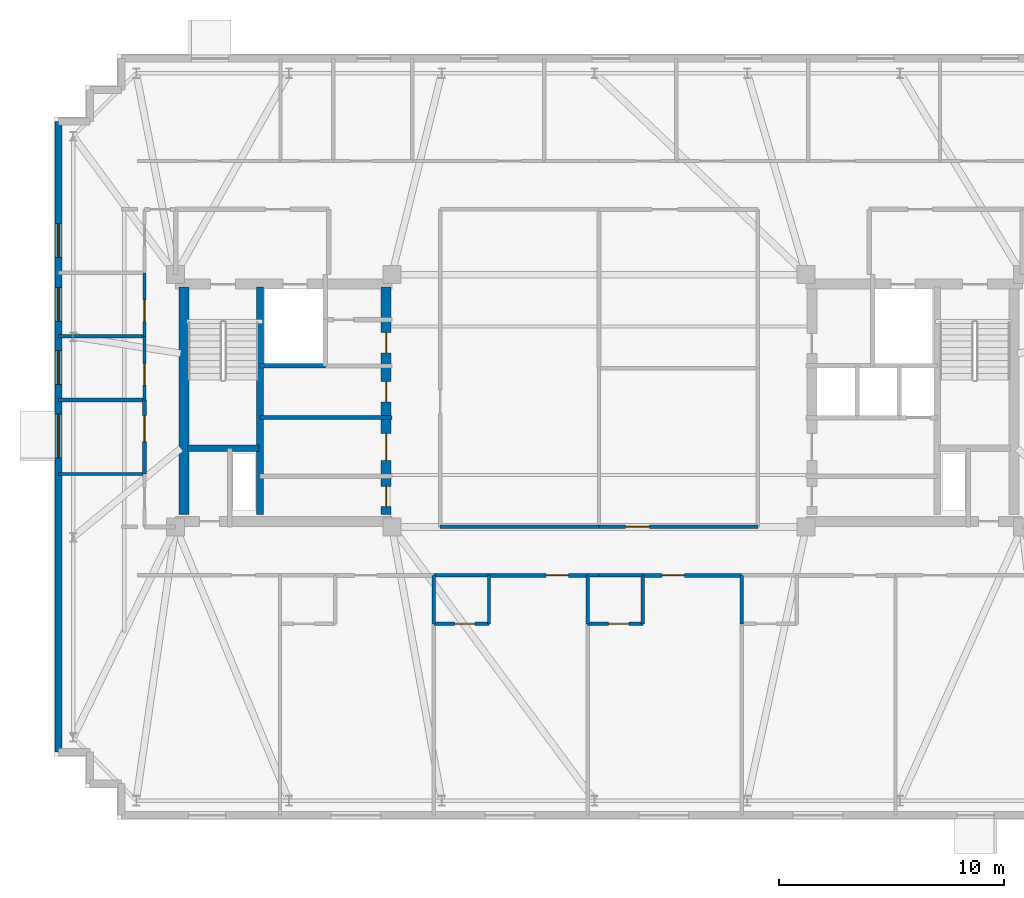
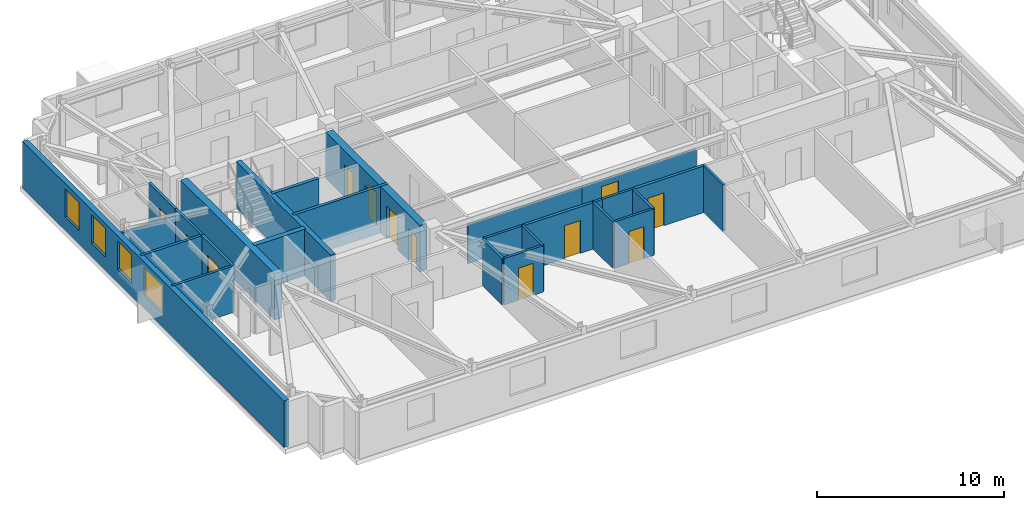
# One storey, part 6 of 11: 27 walls, 12 doors, 4 windows, 16 openings.
"""IFC4 building model written with IfcOpenShell, lengths in metres."""

from ifc_helpers import new_model, si_unit, direction, frame, frame_2d, origin, place, context, subcontext, project, spatial, rectangle, extrude, material, layer, layer_set, type_object, element, fill, save


model = new_model("IFC4")

# Units and contexts
model_context = context("Model", 3, precision=1e-05, world=origin(), true_north=direction((0.0, 1.0)))
body_context = subcontext(model_context, "Body", "Model", "MODEL_VIEW")
ifc_project = project(units=[si_unit("LENGTHUNIT", "METRE"), si_unit("AREAUNIT", "SQUARE_METRE"), si_unit("VOLUMEUNIT", "CUBIC_METRE"), si_unit("PLANEANGLEUNIT", "RADIAN"), si_unit("MASSUNIT", "GRAM", prefix="KILO")], contexts=[model_context])

# Site, building, storey
site_placement = place(None, origin())
site = spatial("IfcSite", under=ifc_project, at=site_placement, CompositionType="ELEMENT")
building_placement = place(site_placement, origin())
building = spatial("IfcBuilding", under=site, at=building_placement, Name="Qobustan Lattice House", CompositionType="ELEMENT")
storey_placement = place(building_placement, frame((0.0, 0.0, 248.39990234375)))
storey = spatial("IfcBuildingStorey", under=building, at=storey_placement, Name="L70", CompositionType="ELEMENT", Elevation=248.39990234375)

# Wall
ifc_material_1 = material(Name="Concrete C50/60", Category="concrete")
ifc_layer_1 = layer(ifc_material_1, 0.43994140625)
ifc_layer_set_1 = layer_set([ifc_layer_1], Name="Concrete C50/60")
wall_type_1 = type_object("IfcWallType", Name="WAL-CORE-440", PredefinedType="SHEAR", material=ifc_layer_set_1)
wall_1_placement = place(storey_placement, frame((-18.429931640625, -5.050048828125, 0.0), z_axis=(0.0, 0.0, 1.0), x_axis=(0.0, 1.0, 0.0)))
element("IfcWall", 1, at=wall_1_placement, inside=storey, type_object=wall_type_1, Name="L70 split-core shear wall CW-W", PredefinedType="SHEAR", context=body_context, shape_type="SweptSolid", body=[
    extrude(rectangle(XDim=10.10009765625, YDim=0.43994140625, at=frame_2d((5.050048828125, 0.0))), origin(), (0.0, 0.0, 1.0), 3.0400390625),
])

# Wall, openings, doors
wall_2_placement = place(storey_placement, frame((-9.449951171875, -5.050048828125, 0.0), z_axis=(0.0, 0.0, 1.0), x_axis=(0.0, 1.0, 0.0)))
wall_2 = element("IfcWall", 2, at=wall_2_placement, inside=storey, type_object=wall_type_1, Name="L70 split-core shear wall CW-E", PredefinedType="SHEAR", context=body_context, shape_type="SweptSolid", body=[
    extrude(rectangle(XDim=10.10009765625, YDim=0.43994140625, at=frame_2d((5.050048828125, 0.0))), origin(), (0.0, 0.0, 1.0), 3.0400390625),
])
opening_1_placement = place(wall_2_placement, frame((7.175048828125, 0.0, 0.0)))
opening_1 = element("IfcOpeningElement", 3, at=opening_1_placement, cuts=wall_2, Name="Opening RD-01", PredefinedType="OPENING", context=body_context, shape_type="SweptSolid", body=[
    extrude(rectangle(XDim=0.89990234375, YDim=2.10009765625, at=frame_2d((0.449951171875, 1.050048828125))), frame((0.0, 0.22998046875, 0.0), z_axis=(0.0, -1.0, 0.0), x_axis=(1.0, 0.0, 0.0)), (0.0, 0.0, 1.0), 0.4599609375),
])
opening_2_placement = place(wall_2_placement, frame((2.39990234375, 0.0, 0.0)))
opening_2 = element("IfcOpeningElement", 4, at=opening_2_placement, cuts=wall_2, Name="Opening FD-01", PredefinedType="OPENING", context=body_context, shape_type="SweptSolid", body=[
    extrude(rectangle(XDim=1.199951171875, YDim=2.14990234375, at=frame_2d((0.60009765625, 1.074951171875))), frame((0.0, 0.22998046875, 0.0), z_axis=(0.0, -1.0, 0.0), x_axis=(1.0, 0.0, 0.0)), (0.0, 0.0, 1.0), 0.4599609375),
])
opening_3_placement = place(wall_2_placement, frame((0.35009765625, 0.0, 0.0)))
opening_3 = element("IfcOpeningElement", 5, at=opening_3_placement, cuts=wall_2, Name="Opening RD-01", PredefinedType="OPENING", context=body_context, shape_type="SweptSolid", body=[
    extrude(rectangle(XDim=0.89990234375, YDim=2.10009765625, at=frame_2d((0.449951171875, 1.050048828125))), frame((0.0, 0.22998046875, 0.0), z_axis=(0.0, -1.0, 0.0), x_axis=(1.0, 0.0, 0.0)), (0.0, 0.0, 1.0), 0.4599609375),
])
opening_4_placement = place(wall_2_placement, frame((5.0, 0.0, 0.0)))
opening_4 = element("IfcOpeningElement", 6, at=opening_4_placement, cuts=wall_2, Name="Opening RD-01", PredefinedType="OPENING", context=body_context, shape_type="SweptSolid", body=[
    extrude(rectangle(XDim=0.89990234375, YDim=2.10009765625, at=frame_2d((0.449951171875, 1.050048828125))), frame((0.0, 0.22998046875, 0.0), z_axis=(0.0, -1.0, 0.0), x_axis=(1.0, 0.0, 0.0)), (0.0, 0.0, 1.0), 0.4599609375),
])
ifc_material_2 = material(Name="Persian walnut timber and steel frame door", Category="steel")
door_type_1 = type_object("IfcDoorType", Name="DOR-LOBBY-FD-1200x2150", OperationType="NOTDEFINED", PredefinedType="DOOR", material=ifc_material_2)
door_1_placement = place(opening_2_placement, origin())
door_1 = element("IfcDoor", 7, at=door_1_placement, inside=storey, type_object=door_type_1, Name="L70 West core foyer fire door", OperationType="SINGLE_SWING_LEFT", OverallHeight=2.14990234375, OverallWidth=1.199951171875, PredefinedType="DOOR", context=body_context, shape_type="SweptSolid", body=[
    extrude(rectangle(XDim=1.199951171875, YDim=2.14990234375, at=frame_2d((0.60009765625, 1.074951171875))), frame((0.0, 0.02490234375, 0.0), z_axis=(0.0, -1.0, 0.0), x_axis=(1.0, 0.0, 0.0)), (0.0, 0.0, 1.0), 0.050048828125),
])
fill(opening_2, door_1)
ifc_material_3 = material(Name="Persian walnut timber and steel frame door", Category="steel")
door_type_2 = type_object("IfcDoorType", Name="DOR-RISER-FD-900x2100", OperationType="NOTDEFINED", PredefinedType="DOOR", material=ifc_material_3)
door_2_placement = place(opening_1_placement, origin())
door_2 = element("IfcDoor", 8, at=door_2_placement, inside=storey, type_object=door_type_2, Name="L70 Core utility lobby fire door", OperationType="SINGLE_SWING_RIGHT", OverallHeight=2.10009765625, OverallWidth=0.89990234375, PredefinedType="DOOR", context=body_context, shape_type="SweptSolid", body=[
    extrude(rectangle(XDim=0.89990234375, YDim=2.10009765625, at=frame_2d((0.449951171875, 1.050048828125))), frame((0.0, 0.02490234375, 0.0), z_axis=(0.0, -1.0, 0.0), x_axis=(1.0, 0.0, 0.0)), (0.0, 0.0, 1.0), 0.050048828125),
])
fill(opening_1, door_2)
door_3_placement = place(opening_3_placement, origin())
door_3 = element("IfcDoor", 9, at=door_3_placement, inside=storey, type_object=door_type_2, Name="L70 Quiet study alcove fire door", OperationType="SINGLE_SWING_RIGHT", OverallHeight=2.10009765625, OverallWidth=0.89990234375, PredefinedType="DOOR", context=body_context, shape_type="SweptSolid", body=[
    extrude(rectangle(XDim=0.89990234375, YDim=2.10009765625, at=frame_2d((0.449951171875, 1.050048828125))), frame((0.0, 0.02490234375, 0.0), z_axis=(0.0, -1.0, 0.0), x_axis=(1.0, 0.0, 0.0)), (0.0, 0.0, 1.0), 0.050048828125),
])
fill(opening_3, door_3)
door_4_placement = place(opening_4_placement, origin())
door_4 = element("IfcDoor", 10, at=door_4_placement, inside=storey, type_object=door_type_2, Name="L70 Resident reading pod fire door", OperationType="SINGLE_SWING_LEFT", OverallHeight=2.10009765625, OverallWidth=0.89990234375, PredefinedType="DOOR", context=body_context, shape_type="SweptSolid", body=[
    extrude(rectangle(XDim=0.89990234375, YDim=2.10009765625, at=frame_2d((0.449951171875, 1.050048828125))), frame((0.0, 0.02490234375, 0.0), z_axis=(0.0, -1.0, 0.0), x_axis=(1.0, 0.0, 0.0)), (0.0, 0.0, 1.0), 0.050048828125),
])
fill(opening_4, door_4)

# Walls
ifc_material_4 = material(Name="Concrete C50/60", Category="concrete")
ifc_layer_2 = layer(ifc_material_4, 0.280029296875)
ifc_layer_set_2 = layer_set([ifc_layer_2], Name="Concrete C50/60")
wall_type_2 = type_object("IfcWallType", Name="WAL-CORE-SPINE-280", PredefinedType="SHEAR", material=ifc_layer_set_2)
wall_3_placement = place(storey_placement, frame((-15.050048828125, -5.050048828125, 0.0), z_axis=(0.0, 0.0, 1.0), x_axis=(0.0, 1.0, 0.0)))
element("IfcWall", 11, at=wall_3_placement, inside=storey, type_object=wall_type_2, Name="L70 split-core shear wall CW-M", PredefinedType="SHEAR", context=body_context, shape_type="SweptSolid", body=[
    extrude(rectangle(XDim=10.10009765625, YDim=0.300048828125, at=frame_2d((5.050048828125, 0.0))), origin(), (0.0, 0.0, 1.0), 3.0400390625),
])
wall_4_placement = place(storey_placement, frame((-18.280029296875, -2.110107421875, 0.0), z_axis=(0.0, 0.0, 1.0), x_axis=(1.0, 0.0, 0.0)))
element("IfcWall", 12, at=wall_4_placement, inside=storey, type_object=wall_type_2, Name="L70 split-core shear wall CW-ST", PredefinedType="SHEAR", context=body_context, shape_type="SweptSolid", body=[
    extrude(rectangle(XDim=3.179931640625, YDim=0.300048828125, at=frame_2d((1.58984375, 0.0))), origin(), (0.0, 0.0, 1.0), 3.0400390625),
])

# Wall, openings, windows
ifc_material_5 = material(Name="Precast concrete C40/50", Category="concrete")
ifc_layer_3 = layer(ifc_material_5, 0.320068359375)
ifc_layer_set_3 = layer_set([ifc_layer_3], Name="Precast concrete C40/50")
wall_type_3 = type_object("IfcWallType", Name="WAL-EXT-STONE-320", PredefinedType="SOLIDWALL", material=ifc_layer_set_3)
wall_5_placement = place(storey_placement, frame((-24.0, -15.60009765625, 0.0), z_axis=(0.0, 0.0, 1.0), x_axis=(0.0, 1.0, 0.0)))
wall_5 = element("IfcWall", 13, at=wall_5_placement, inside=storey, type_object=wall_type_3, Name="L70 exterior limestone-clad wall 5", PredefinedType="SOLIDWALL", context=body_context, shape_type="SweptSolid", body=[
    extrude(rectangle(XDim=28.0, YDim=0.320068359375, at=frame_2d((14.0, 0.0))), origin(), (0.0, 0.0, 1.0), 3.0400390625),
])
opening_5_placement = place(wall_5_placement, frame((13.06494140625, 0.0, 0.85009765625)))
opening_5 = element("IfcOpeningElement", 14, at=opening_5_placement, cuts=wall_5, Name="Opening WN-08", PredefinedType="OPENING", context=body_context, shape_type="SweptSolid", body=[
    extrude(rectangle(XDim=1.949951171875, YDim=1.85009765625, at=frame_2d((0.97509765625, 0.925048828125))), frame((0.0, 0.169921875, 0.0), z_axis=(0.0, -1.0, 0.0), x_axis=(1.0, 0.0, 0.0)), (0.0, 0.0, 1.0), 0.340087890625),
])
opening_6_placement = place(wall_5_placement, frame((16.330078125, 0.0, 0.85009765625)))
opening_6 = element("IfcOpeningElement", 15, at=opening_6_placement, cuts=wall_5, Name="Opening WN-01", PredefinedType="OPENING", context=body_context, shape_type="SweptSolid", body=[
    extrude(rectangle(XDim=1.5, YDim=1.85009765625, at=frame_2d((0.75, 0.925048828125))), frame((0.0, 0.169921875, 0.0), z_axis=(0.0, -1.0, 0.0), x_axis=(1.0, 0.0, 0.0)), (0.0, 0.0, 1.0), 0.340087890625),
])
opening_7_placement = place(wall_5_placement, frame((19.1298828125, 0.0, 0.85009765625)))
opening_7 = element("IfcOpeningElement", 16, at=opening_7_placement, cuts=wall_5, Name="Opening WN-01", PredefinedType="OPENING", context=body_context, shape_type="SweptSolid", body=[
    extrude(rectangle(XDim=1.5, YDim=1.85009765625, at=frame_2d((0.75, 0.925048828125))), frame((0.0, 0.169921875, 0.0), z_axis=(0.0, -1.0, 0.0), x_axis=(1.0, 0.0, 0.0)), (0.0, 0.0, 1.0), 0.340087890625),
])
opening_8_placement = place(wall_5_placement, frame((21.969970703125, 0.0, 0.85009765625)))
opening_8 = element("IfcOpeningElement", 17, at=opening_8_placement, cuts=wall_5, Name="Opening WN-01", PredefinedType="OPENING", context=body_context, shape_type="SweptSolid", body=[
    extrude(rectangle(XDim=1.5, YDim=1.85009765625, at=frame_2d((0.75, 0.925048828125))), frame((0.0, 0.169921875, 0.0), z_axis=(0.0, -1.0, 0.0), x_axis=(1.0, 0.0, 0.0)), (0.0, 0.0, 1.0), 0.340087890625),
])
ifc_material_6 = material(Name="Double-glazed low-E aluminium window", Category="aluminium")
window_type_1 = type_object("IfcWindowType", Name="WIN-BED-1500x1850", PartitioningType="SINGLE_PANEL", PredefinedType="WINDOW", material=ifc_material_6)
window_1_placement = place(opening_6_placement, origin())
window_1 = element("IfcWindow", 18, at=window_1_placement, inside=storey, type_object=window_type_1, Name="L70 Cluster bedroom L70W1 window", OverallHeight=1.85009765625, OverallWidth=1.5, PartitioningType="SINGLE_PANEL", PredefinedType="WINDOW", context=body_context, shape_type="SweptSolid", body=[
    extrude(rectangle(XDim=1.5, YDim=1.85009765625, at=frame_2d((0.75, 0.925048828125))), frame((0.0, 0.030029296875, 0.0), z_axis=(0.0, -1.0, 0.0), x_axis=(1.0, 0.0, 0.0)), (0.0, 0.0, 1.0), 0.06005859375),
])
fill(opening_6, window_1)
window_2_placement = place(opening_7_placement, origin())
window_2 = element("IfcWindow", 19, at=window_2_placement, inside=storey, type_object=window_type_1, Name="L70 Cluster bedroom L70W2 window", OverallHeight=1.85009765625, OverallWidth=1.5, PartitioningType="SINGLE_PANEL", PredefinedType="WINDOW", context=body_context, shape_type="SweptSolid", body=[
    extrude(rectangle(XDim=1.5, YDim=1.85009765625, at=frame_2d((0.75, 0.925048828125))), frame((0.0, 0.030029296875, 0.0), z_axis=(0.0, -1.0, 0.0), x_axis=(1.0, 0.0, 0.0)), (0.0, 0.0, 1.0), 0.06005859375),
])
fill(opening_7, window_2)
window_3_placement = place(opening_8_placement, origin())
window_3 = element("IfcWindow", 20, at=window_3_placement, inside=storey, type_object=window_type_1, Name="L70 Cluster bedroom L70W3 window", OverallHeight=1.85009765625, OverallWidth=1.5, PartitioningType="SINGLE_PANEL", PredefinedType="WINDOW", context=body_context, shape_type="SweptSolid", body=[
    extrude(rectangle(XDim=1.5, YDim=1.85009765625, at=frame_2d((0.75, 0.925048828125))), frame((0.0, 0.030029296875, 0.0), z_axis=(0.0, -1.0, 0.0), x_axis=(1.0, 0.0, 0.0)), (0.0, 0.0, 1.0), 0.06005859375),
])
fill(opening_8, window_3)
ifc_material_7 = material(Name="Double-glazed low-E aluminium window", Category="aluminium")
window_type_2 = type_object("IfcWindowType", Name="WIN-KIT-1950x1850", PartitioningType="SINGLE_PANEL", PredefinedType="WINDOW", material=ifc_material_7)
window_4_placement = place(opening_5_placement, origin())
window_4 = element("IfcWindow", 21, at=window_4_placement, inside=storey, type_object=window_type_2, Name="L70 Shared kitchen L70W window", OverallHeight=1.85009765625, OverallWidth=1.949951171875, PartitioningType="SINGLE_PANEL", PredefinedType="WINDOW", context=body_context, shape_type="SweptSolid", body=[
    extrude(rectangle(XDim=1.949951171875, YDim=1.85009765625, at=frame_2d((0.97509765625, 0.925048828125))), frame((0.0, 0.030029296875, 0.0), z_axis=(0.0, -1.0, 0.0), x_axis=(1.0, 0.0, 0.0)), (0.0, 0.0, 1.0), 0.06005859375),
])
fill(opening_5, window_4)

# Wall
ifc_material_8 = material(Name="Gypsum fireboard acoustic partition", Category="gypsum")
ifc_layer_4 = layer(ifc_material_8, 0.179931640625)
ifc_layer_set_4 = layer_set([ifc_layer_4], Name="Gypsum fireboard acoustic partition")
wall_type_4 = type_object("IfcWallType", Name="WAL-FIRE-180", PredefinedType="PARTITIONING", material=ifc_layer_set_4)
wall_6_placement = place(storey_placement, frame((-9.199951171875, -0.75, 0.0), z_axis=(0.0, 0.0, 1.0), x_axis=(-1.0, 0.0, 0.0)))
element("IfcWall", 22, at=wall_6_placement, inside=storey, type_object=wall_type_4, Name="L70 interior partition 11", PredefinedType="PARTITIONING", context=body_context, shape_type="SweptSolid", body=[
    extrude(rectangle(XDim=5.85009765625, YDim=0.179931640625, at=frame_2d((2.925048828125, 0.0))), origin(), (0.0, 0.0, 1.0), 3.0400390625),
])

# Wall, opening, door
wall_7_placement = place(storey_placement, frame((-0.5, -7.75, 0.0), z_axis=(0.0, 0.0, 1.0), x_axis=(-1.0, 0.0, 0.0)))
wall_7 = element("IfcWall", 23, at=wall_7_placement, inside=storey, type_object=wall_type_4, Name="L70 interior partition 49", PredefinedType="PARTITIONING", context=body_context, shape_type="SweptSolid", body=[
    extrude(rectangle(XDim=4.383056640625, YDim=0.179931640625, at=frame_2d((2.19140625, 0.0))), origin(), (0.0, 0.0, 1.0), 3.0400390625),
])
opening_9_placement = place(wall_7_placement, frame((0.85791015625, 0.0, 0.0)))
opening_9 = element("IfcOpeningElement", 24, at=opening_9_placement, cuts=wall_7, Name="Opening FD-02", PredefinedType="OPENING", context=body_context, shape_type="SweptSolid", body=[
    extrude(rectangle(XDim=1.0, YDim=2.14990234375, at=frame_2d((0.5, 1.074951171875))), frame((0.0, 0.099853515625, 0.0), z_axis=(0.0, -1.0, 0.0), x_axis=(1.0, 0.0, 0.0)), (0.0, 0.0, 1.0), 0.199951171875),
])
ifc_material_9 = material(Name="Persian walnut timber and steel frame door", Category="steel")
door_type_3 = type_object("IfcDoorType", Name="DOR-UNIT-FD-1000x2150", OperationType="NOTDEFINED", PredefinedType="DOOR", material=ifc_material_9)
door_5_placement = place(opening_9_placement, origin())
door_5 = element("IfcDoor", 25, at=door_5_placement, inside=storey, type_object=door_type_3, Name="L70 South-west floor corridor to Kitchenette and studio apartment L70-S3 door", OperationType="SINGLE_SWING_LEFT", OverallHeight=2.14990234375, OverallWidth=1.0, PredefinedType="DOOR", context=body_context, shape_type="SweptSolid", body=[
    extrude(rectangle(XDim=1.0, YDim=2.14990234375, at=frame_2d((0.5, 1.074951171875))), frame((0.0, 0.02490234375, 0.0), z_axis=(0.0, -1.0, 0.0), x_axis=(1.0, 0.0, 0.0)), (0.0, 0.0, 1.0), 0.050048828125),
])
fill(opening_9, door_5)

wall_8_placement = place(storey_placement, frame((6.3330078125, -7.75, 0.0), z_axis=(0.0, 0.0, 1.0), x_axis=(-1.0, 0.0, 0.0)))
wall_8 = element("IfcWall", 26, at=wall_8_placement, inside=storey, type_object=wall_type_4, Name="L70 interior partition 55", PredefinedType="PARTITIONING", context=body_context, shape_type="SweptSolid", body=[
    extrude(rectangle(XDim=4.383056640625, YDim=0.179931640625, at=frame_2d((2.19140625, 0.0))), origin(), (0.0, 0.0, 1.0), 3.0400390625),
])
opening_10_placement = place(wall_8_placement, frame((2.525146484375, 0.0, 0.0)))
opening_10 = element("IfcOpeningElement", 27, at=opening_10_placement, cuts=wall_8, Name="Opening FD-02", PredefinedType="OPENING", context=body_context, shape_type="SweptSolid", body=[
    extrude(rectangle(XDim=1.0, YDim=2.14990234375, at=frame_2d((0.5, 1.074951171875))), frame((0.0, 0.099853515625, 0.0), z_axis=(0.0, -1.0, 0.0), x_axis=(1.0, 0.0, 0.0)), (0.0, 0.0, 1.0), 0.199951171875),
])
door_6_placement = place(opening_10_placement, origin())
door_6 = element("IfcDoor", 28, at=door_6_placement, inside=storey, type_object=door_type_3, Name="L70 South-east floor corridor to Kitchenette and studio apartment L70-S4 door", OperationType="SINGLE_SWING_RIGHT", OverallHeight=2.14990234375, OverallWidth=1.0, PredefinedType="DOOR", context=body_context, shape_type="SweptSolid", body=[
    extrude(rectangle(XDim=1.0, YDim=2.14990234375, at=frame_2d((0.5, 1.074951171875))), frame((0.0, 0.02490234375, 0.0), z_axis=(0.0, -1.0, 0.0), x_axis=(1.0, 0.0, 0.0)), (0.0, 0.0, 1.0), 0.050048828125),
])
fill(opening_10, door_6)

# Wall
ifc_material_10 = material(Name="Acoustic twin-stud gypsum partition", Category="gypsum")
ifc_layer_5 = layer(ifc_material_10, 0.14990234375)
ifc_layer_set_5 = layer_set([ifc_layer_5], Name="Acoustic twin-stud gypsum partition")
wall_type_5 = type_object("IfcWallType", Name="WAL-PART-150", PredefinedType="PARTITIONING", material=ifc_layer_set_5)
wall_9_placement = place(storey_placement, frame((-7.050048828125, -5.60009765625, 0.0), z_axis=(0.0, 0.0, 1.0), x_axis=(1.0, 0.0, 0.0)))
element("IfcWall", 29, at=wall_9_placement, inside=storey, type_object=wall_type_5, Name="L70 interior partition 52", PredefinedType="PARTITIONING", context=body_context, shape_type="SweptSolid", body=[
    extrude(rectangle(XDim=7.050048828125, YDim=0.14990234375, at=frame_2d((3.52490234375, 0.0))), origin(), (0.0, 0.0, 1.0), 2.525146484375),
])

# Wall, opening, door
wall_10_placement = place(storey_placement, frame((0.0, -5.60009765625, 0.0), z_axis=(0.0, 0.0, 1.0), x_axis=(1.0, 0.0, 0.0)))
wall_10 = element("IfcWall", 30, at=wall_10_placement, inside=storey, type_object=wall_type_5, Name="L70 interior partition 60", PredefinedType="PARTITIONING", context=body_context, shape_type="SweptSolid", body=[
    extrude(rectangle(XDim=7.050048828125, YDim=0.14990234375, at=frame_2d((3.52490234375, 0.0))), origin(), (0.0, 0.0, 1.0), 2.525146484375),
])
opening_11_placement = place(wall_10_placement, frame((1.18505859375, 0.0, 0.0)))
opening_11 = element("IfcOpeningElement", 31, at=opening_11_placement, cuts=wall_10, Name="Opening ID-02", PredefinedType="OPENING", context=body_context, shape_type="SweptSolid", body=[
    extrude(rectangle(XDim=1.050048828125, YDim=2.14990234375, at=frame_2d((0.52490234375, 1.074951171875))), frame((0.0, 0.0849609375, 0.0), z_axis=(0.0, -1.0, 0.0), x_axis=(1.0, 0.0, 0.0)), (0.0, 0.0, 1.0), 0.169921875),
])
ifc_material_11 = material(Name="Persian walnut timber and steel frame door", Category="steel")
door_type_4 = type_object("IfcDoorType", Name="DOR-STUDY-1050x2150", OperationType="NOTDEFINED", PredefinedType="DOOR", material=ifc_material_11)
door_7_placement = place(opening_11_placement, origin())
door_7 = element("IfcDoor", 32, at=door_7_placement, inside=storey, type_object=door_type_4, Name="L70 South-east floor corridor to Seminar breakout room door", OperationType="SINGLE_SWING_LEFT", OverallHeight=2.14990234375, OverallWidth=1.050048828125, PredefinedType="DOOR", context=body_context, shape_type="SweptSolid", body=[
    extrude(rectangle(XDim=1.050048828125, YDim=2.14990234375, at=frame_2d((0.52490234375, 1.074951171875))), frame((0.0, 0.02490234375, 0.0), z_axis=(0.0, -1.0, 0.0), x_axis=(1.0, 0.0, 0.0)), (0.0, 0.0, 1.0), 0.050048828125),
])
fill(opening_11, door_7)

wall_11_placement = place(storey_placement, frame((-20.179931640625, 0.0400390625, 0.0), z_axis=(0.0, 0.0, 1.0), x_axis=(0.0, 1.0, 0.0)))
wall_11 = element("IfcWall", 33, at=wall_11_placement, inside=storey, type_object=wall_type_5, Name="L70 interior partition 66", PredefinedType="PARTITIONING", context=body_context, shape_type="SweptSolid", body=[
    extrude(rectangle(XDim=2.820068359375, YDim=0.14990234375, at=frame_2d((1.41015625, 0.0))), origin(), (0.0, 0.0, 1.0), 3.0400390625),
])
opening_12_placement = place(wall_11_placement, frame((0.668701171875, 0.0, 0.0)))
opening_12 = element("IfcOpeningElement", 34, at=opening_12_placement, cuts=wall_11, Name="Opening ID-01", PredefinedType="OPENING", context=body_context, shape_type="SweptSolid", body=[
    extrude(rectangle(XDim=0.949951171875, YDim=2.10009765625, at=frame_2d((0.47509765625, 1.050048828125))), frame((0.0, 0.0849609375, 0.0), z_axis=(0.0, -1.0, 0.0), x_axis=(1.0, 0.0, 0.0)), (0.0, 0.0, 1.0), 0.169921875),
])
ifc_material_12 = material(Name="Persian walnut timber and steel frame door", Category="steel")
door_type_5 = type_object("IfcDoorType", Name="DOR-ROOM-950x2100", OperationType="NOTDEFINED", PredefinedType="DOOR", material=ifc_material_12)
door_8_placement = place(opening_12_placement, origin())
door_8 = element("IfcDoor", 35, at=door_8_placement, inside=storey, type_object=door_type_5, Name="L70 Residence entrance hall L70W to Cluster bedroom L70W1 door", OperationType="SINGLE_SWING_LEFT", OverallHeight=2.10009765625, OverallWidth=0.949951171875, PredefinedType="DOOR", context=body_context, shape_type="SweptSolid", body=[
    extrude(rectangle(XDim=0.949951171875, YDim=2.10009765625, at=frame_2d((0.47509765625, 1.050048828125))), frame((0.0, 0.02490234375, 0.0), z_axis=(0.0, -1.0, 0.0), x_axis=(1.0, 0.0, 0.0)), (0.0, 0.0, 1.0), 0.050048828125),
])
fill(opening_12, door_8)

wall_12_placement = place(storey_placement, frame((-20.179931640625, 2.860107421875, 0.0), z_axis=(0.0, 0.0, 1.0), x_axis=(0.0, 1.0, 0.0)))
wall_12 = element("IfcWall", 36, at=wall_12_placement, inside=storey, type_object=wall_type_5, Name="L70 interior partition 67", PredefinedType="PARTITIONING", context=body_context, shape_type="SweptSolid", body=[
    extrude(rectangle(XDim=2.81982421875, YDim=0.14990234375, at=frame_2d((1.409912109375, 0.0))), origin(), (0.0, 0.0, 1.0), 3.0400390625),
])
opening_13_placement = place(wall_12_placement, frame((0.668701171875, 0.0, 0.0)))
opening_13 = element("IfcOpeningElement", 37, at=opening_13_placement, cuts=wall_12, Name="Opening ID-01", PredefinedType="OPENING", context=body_context, shape_type="SweptSolid", body=[
    extrude(rectangle(XDim=0.949951171875, YDim=2.10009765625, at=frame_2d((0.47509765625, 1.050048828125))), frame((0.0, 0.0849609375, 0.0), z_axis=(0.0, -1.0, 0.0), x_axis=(1.0, 0.0, 0.0)), (0.0, 0.0, 1.0), 0.169921875),
])
door_9_placement = place(opening_13_placement, origin())
door_9 = element("IfcDoor", 38, at=door_9_placement, inside=storey, type_object=door_type_5, Name="L70 Residence entrance hall L70W to Cluster bedroom L70W2 door", OperationType="SINGLE_SWING_RIGHT", OverallHeight=2.10009765625, OverallWidth=0.949951171875, PredefinedType="DOOR", context=body_context, shape_type="SweptSolid", body=[
    extrude(rectangle(XDim=0.949951171875, YDim=2.10009765625, at=frame_2d((0.47509765625, 1.050048828125))), frame((0.0, 0.02490234375, 0.0), z_axis=(0.0, -1.0, 0.0), x_axis=(1.0, 0.0, 0.0)), (0.0, 0.0, 1.0), 0.050048828125),
])
fill(opening_13, door_9)

# Wall
wall_13_placement = place(storey_placement, frame((-24.0, 2.860107421875, 0.0), z_axis=(0.0, 0.0, 1.0), x_axis=(1.0, 0.0, 0.0)))
element("IfcWall", 39, at=wall_13_placement, inside=storey, type_object=wall_type_5, Name="L70 interior partition 71", PredefinedType="PARTITIONING", context=body_context, shape_type="SweptSolid", body=[
    extrude(rectangle(XDim=3.820068359375, YDim=0.14990234375, at=frame_2d((1.91015625, 0.0))), origin(), (0.0, 0.0, 1.0), 2.6650390625),
])

# Wall, opening, door
ifc_material_13 = material(Name="High-mass acoustic twin-stud partition", Category="gypsum")
ifc_layer_6 = layer(ifc_material_13, 0.1650390625)
ifc_layer_set_6 = layer_set([ifc_layer_6], Name="High-mass acoustic twin-stud partition")
wall_type_6 = type_object("IfcWallType", Name="WAL-PART-165", PredefinedType="PARTITIONING", material=ifc_layer_set_6)
wall_14_placement = place(storey_placement, frame((-20.179931640625, -3.25, 0.0), z_axis=(0.0, 0.0, 1.0), x_axis=(0.0, 1.0, 0.0)))
wall_14 = element("IfcWall", 40, at=wall_14_placement, inside=storey, type_object=wall_type_6, Name="L70 interior partition 65", PredefinedType="PARTITIONING", context=body_context, shape_type="SweptSolid", body=[
    extrude(rectangle(XDim=3.2900390625, YDim=0.1650390625, at=frame_2d((1.64501953125, 0.0))), origin(), (0.0, 0.0, 1.0), 3.0400390625),
])
opening_14_placement = place(wall_14_placement, frame((1.4375, 0.0, 0.0)))
opening_14 = element("IfcOpeningElement", 41, at=opening_14_placement, cuts=wall_14, Name="Opening ID-03", PredefinedType="OPENING", context=body_context, shape_type="SweptSolid", body=[
    extrude(rectangle(XDim=1.14990234375, YDim=2.14990234375, at=frame_2d((0.574951171875, 1.074951171875))), frame((0.0, 0.092529296875, 0.0), z_axis=(0.0, -1.0, 0.0), x_axis=(1.0, 0.0, 0.0)), (0.0, 0.0, 1.0), 0.18505859375),
])
ifc_material_14 = material(Name="Persian walnut timber and steel frame door", Category="steel")
door_type_6 = type_object("IfcDoorType", Name="DOR-KITCH-1150x2150", OperationType="NOTDEFINED", PredefinedType="DOOR", material=ifc_material_14)
door_10_placement = place(opening_14_placement, origin())
door_10 = element("IfcDoor", 42, at=door_10_placement, inside=storey, type_object=door_type_6, Name="L70 Residence entrance hall L70W to Shared kitchen L70W door", OperationType="SINGLE_SWING_RIGHT", OverallHeight=2.14990234375, OverallWidth=1.14990234375, PredefinedType="DOOR", context=body_context, shape_type="SweptSolid", body=[
    extrude(rectangle(XDim=1.14990234375, YDim=2.14990234375, at=frame_2d((0.574951171875, 1.074951171875))), frame((0.0, 0.02490234375, 0.0), z_axis=(0.0, -1.0, 0.0), x_axis=(1.0, 0.0, 0.0)), (0.0, 0.0, 1.0), 0.050048828125),
])
fill(opening_14, door_10)

# Walls
wall_15_placement = place(storey_placement, frame((-24.0, 0.0400390625, 0.0), z_axis=(0.0, 0.0, 1.0), x_axis=(1.0, 0.0, 0.0)))
element("IfcWall", 43, at=wall_15_placement, inside=storey, type_object=wall_type_6, Name="L70 interior partition 70", PredefinedType="PARTITIONING", context=body_context, shape_type="SweptSolid", body=[
    extrude(rectangle(XDim=3.820068359375, YDim=0.1650390625, at=frame_2d((1.91015625, 0.0))), origin(), (0.0, 0.0, 1.0), 3.0400390625),
])
ifc_material_15 = material(Name="Concrete C40/50", Category="concrete")
ifc_layer_7 = layer(ifc_material_15, 0.199951171875)
ifc_layer_set_7 = layer_set([ifc_layer_7], Name="Concrete C40/50")
wall_type_7 = type_object("IfcWallType", Name="WAL-SHAFT-200", PredefinedType="PARTITIONING", material=ifc_layer_set_7)
wall_16_placement = place(storey_placement, frame((-15.050048828125, 1.550048828125, 0.0), z_axis=(0.0, 0.0, 1.0), x_axis=(1.0, 0.0, 0.0)))
element("IfcWall", 44, at=wall_16_placement, inside=storey, type_object=wall_type_7, Name="L70 interior partition 100", PredefinedType="PARTITIONING", context=body_context, shape_type="SweptSolid", body=[
    extrude(rectangle(XDim=2.900146484375, YDim=0.199951171875, at=frame_2d((1.4501953125, 0.0))), origin(), (0.0, 0.0, 1.0), 3.0400390625),
])
ifc_material_16 = material(Name="Moisture-resistant acoustic plumbing wall", Category="gypsum")
ifc_layer_8 = layer(ifc_material_16, 0.14990234375)
ifc_layer_set_8 = layer_set([ifc_layer_8], Name="Moisture-resistant acoustic plumbing wall")
wall_type_8 = type_object("IfcWallType", Name="WAL-WET-150", PredefinedType="PLUMBINGWALL", material=ifc_layer_set_8)
wall_17_placement = place(storey_placement, frame((-4.883056640625, -7.75, 0.0), z_axis=(0.0, 0.0, 1.0), x_axis=(-1.0, 0.0, 0.0)))
element("IfcWall", 45, at=wall_17_placement, inside=storey, type_object=wall_type_8, Name="L70 interior partition 50", PredefinedType="PLUMBINGWALL", context=body_context, shape_type="SweptSolid", body=[
    extrude(rectangle(XDim=2.449951171875, YDim=0.14990234375, at=frame_2d((1.22509765625, 0.0))), origin(), (0.0, 0.0, 1.0), 3.0400390625),
])
wall_18_placement = place(storey_placement, frame((0.0, -7.75, 0.0), z_axis=(0.0, 0.0, 1.0), x_axis=(-1.0, 0.0, 0.0)))
element("IfcWall", 46, at=wall_18_placement, inside=storey, type_object=wall_type_8, Name="L70 interior partition 51", PredefinedType="PLUMBINGWALL", context=body_context, shape_type="SweptSolid", body=[
    extrude(rectangle(XDim=0.5, YDim=0.14990234375, at=frame_2d((0.25, 0.0))), origin(), (0.0, 0.0, 1.0), 3.0400390625),
])
wall_19_placement = place(storey_placement, frame((1.949951171875, -7.75, 0.0), z_axis=(0.0, 0.0, 1.0), x_axis=(-1.0, 0.0, 0.0)))
element("IfcWall", 47, at=wall_19_placement, inside=storey, type_object=wall_type_8, Name="L70 interior partition 56", PredefinedType="PLUMBINGWALL", context=body_context, shape_type="SweptSolid", body=[
    extrude(rectangle(XDim=1.949951171875, YDim=0.14990234375, at=frame_2d((0.97509765625, 0.0))), origin(), (0.0, 0.0, 1.0), 3.0400390625),
])
wall_20_placement = place(storey_placement, frame((-24.0, -3.25, 0.0), z_axis=(0.0, 0.0, 1.0), x_axis=(1.0, 0.0, 0.0)))
element("IfcWall", 48, at=wall_20_placement, inside=storey, type_object=wall_type_8, Name="L70 interior partition 69", PredefinedType="PLUMBINGWALL", context=body_context, shape_type="SweptSolid", body=[
    extrude(rectangle(XDim=3.820068359375, YDim=0.14990234375, at=frame_2d((1.91015625, 0.0))), origin(), (0.0, 0.0, 1.0), 3.0400390625),
])
wall_21_placement = place(storey_placement, frame((-7.3330078125, -7.75, 0.0), z_axis=(0.0, 0.0, 1.0), x_axis=(0.0, -1.0, 0.0)))
element("IfcWall", 49, at=wall_21_placement, inside=storey, type_object=wall_type_8, Name="L70 interior partition 85", PredefinedType="PLUMBINGWALL", context=body_context, shape_type="SweptSolid", body=[
    extrude(rectangle(XDim=2.14990234375, YDim=0.14990234375, at=frame_2d((1.074951171875, 0.0))), origin(), (0.0, 0.0, 1.0), 3.0400390625),
])

# Wall, opening, door
wall_22_placement = place(storey_placement, frame((-7.3330078125, -9.89990234375, 0.0), z_axis=(0.0, 0.0, 1.0), x_axis=(1.0, 0.0, 0.0)))
wall_22 = element("IfcWall", 50, at=wall_22_placement, inside=storey, type_object=wall_type_8, Name="L70 interior partition 86", PredefinedType="PLUMBINGWALL", context=body_context, shape_type="SweptSolid", body=[
    extrude(rectangle(XDim=2.449951171875, YDim=0.14990234375, at=frame_2d((1.22509765625, 0.0))), origin(), (0.0, 0.0, 1.0), 3.0400390625),
])
opening_15_placement = place(wall_22_placement, frame((0.92138671875, 0.0, 0.0)))
opening_15 = element("IfcOpeningElement", 51, at=opening_15_placement, cuts=wall_22, Name="Opening WD-01", PredefinedType="OPENING", context=body_context, shape_type="SweptSolid", body=[
    extrude(rectangle(XDim=0.89990234375, YDim=2.10009765625, at=frame_2d((0.449951171875, 1.050048828125))), frame((0.0, 0.0849609375, 0.0), z_axis=(0.0, -1.0, 0.0), x_axis=(1.0, 0.0, 0.0)), (0.0, 0.0, 1.0), 0.169921875),
])
ifc_material_17 = material(Name="Persian walnut timber and steel frame door", Category="steel")
door_type_7 = type_object("IfcDoorType", Name="DOR-WET-900x2100", OperationType="NOTDEFINED", PredefinedType="DOOR", material=ifc_material_17)
door_11_placement = place(opening_15_placement, origin())
door_11 = element("IfcDoor", 52, at=door_11_placement, inside=storey, type_object=door_type_7, Name="L70 Kitchenette and studio apartment L70-S3 to En-suite bathroom L70-S3 door", OperationType="SINGLE_SWING_LEFT", OverallHeight=2.10009765625, OverallWidth=0.89990234375, PredefinedType="DOOR", context=body_context, shape_type="SweptSolid", body=[
    extrude(rectangle(XDim=0.89990234375, YDim=2.10009765625, at=frame_2d((0.449951171875, 1.050048828125))), frame((0.0, 0.02490234375, 0.0), z_axis=(0.0, -1.0, 0.0), x_axis=(1.0, 0.0, 0.0)), (0.0, 0.0, 1.0), 0.050048828125),
])
fill(opening_15, door_11)

# Walls
for number, where, z_axis, x_axis, name in (
    (53, (-4.883056640625, -9.89990234375, 0.0), (0.0, 0.0, 1.0), (0.0, 1.0, 0.0), "L70 interior partition 87"),
    (54, (-0.5, -7.75, 0.0), (0.0, 0.0, 1.0), (0.0, -1.0, 0.0), "L70 interior partition 89"),
):
    element("IfcWall", number, at=place(storey_placement, frame(where, z_axis=z_axis, x_axis=x_axis)), inside=storey, type_object=wall_type_8, Name=name, PredefinedType="PLUMBINGWALL", context=body_context, shape_type="SweptSolid", body=[
        extrude(rectangle(XDim=2.14990234375, YDim=0.14990234375, at=frame_2d((1.074951171875, 0.0))), origin(), (0.0, 0.0, 1.0), 3.0400390625),
    ])

# Wall, opening, door
wall_23_placement = place(storey_placement, frame((-0.5, -9.89990234375, 0.0), z_axis=(0.0, 0.0, 1.0), x_axis=(1.0, 0.0, 0.0)))
wall_23 = element("IfcWall", 55, at=wall_23_placement, inside=storey, type_object=wall_type_8, Name="L70 interior partition 90", PredefinedType="PLUMBINGWALL", context=body_context, shape_type="SweptSolid", body=[
    extrude(rectangle(XDim=2.449951171875, YDim=0.14990234375, at=frame_2d((1.22509765625, 0.0))), origin(), (0.0, 0.0, 1.0), 3.0400390625),
])
opening_16_placement = place(wall_23_placement, frame((0.92138671875, 0.0, 0.0)))
opening_16 = element("IfcOpeningElement", 56, at=opening_16_placement, cuts=wall_23, Name="Opening WD-01", PredefinedType="OPENING", context=body_context, shape_type="SweptSolid", body=[
    extrude(rectangle(XDim=0.89990234375, YDim=2.10009765625, at=frame_2d((0.449951171875, 1.050048828125))), frame((0.0, 0.0849609375, 0.0), z_axis=(0.0, -1.0, 0.0), x_axis=(1.0, 0.0, 0.0)), (0.0, 0.0, 1.0), 0.169921875),
])
door_12_placement = place(opening_16_placement, origin())
door_12 = element("IfcDoor", 57, at=door_12_placement, inside=storey, type_object=door_type_7, Name="L70 Kitchenette and studio apartment L70-S4 to En-suite bathroom L70-S4 door", OperationType="SINGLE_SWING_RIGHT", OverallHeight=2.10009765625, OverallWidth=0.89990234375, PredefinedType="DOOR", context=body_context, shape_type="SweptSolid", body=[
    extrude(rectangle(XDim=0.89990234375, YDim=2.10009765625, at=frame_2d((0.449951171875, 1.050048828125))), frame((0.0, 0.02490234375, 0.0), z_axis=(0.0, -1.0, 0.0), x_axis=(1.0, 0.0, 0.0)), (0.0, 0.0, 1.0), 0.050048828125),
])
fill(opening_16, door_12)

# Walls
for number, where, z_axis, x_axis, name in (
    (58, (1.949951171875, -9.89990234375, 0.0), (0.0, 0.0, 1.0), (0.0, 1.0, 0.0), "L70 interior partition 91"),
    (59, (6.3330078125, -7.75, 0.0), (0.0, 0.0, 1.0), (0.0, -1.0, 0.0), "L70 interior partition 93"),
):
    element("IfcWall", number, at=place(storey_placement, frame(where, z_axis=z_axis, x_axis=x_axis)), inside=storey, type_object=wall_type_8, Name=name, PredefinedType="PLUMBINGWALL", context=body_context, shape_type="SweptSolid", body=[
        extrude(rectangle(XDim=2.14990234375, YDim=0.14990234375, at=frame_2d((1.074951171875, 0.0))), origin(), (0.0, 0.0, 1.0), 3.0400390625),
    ])

save(model, "model.ifc")
